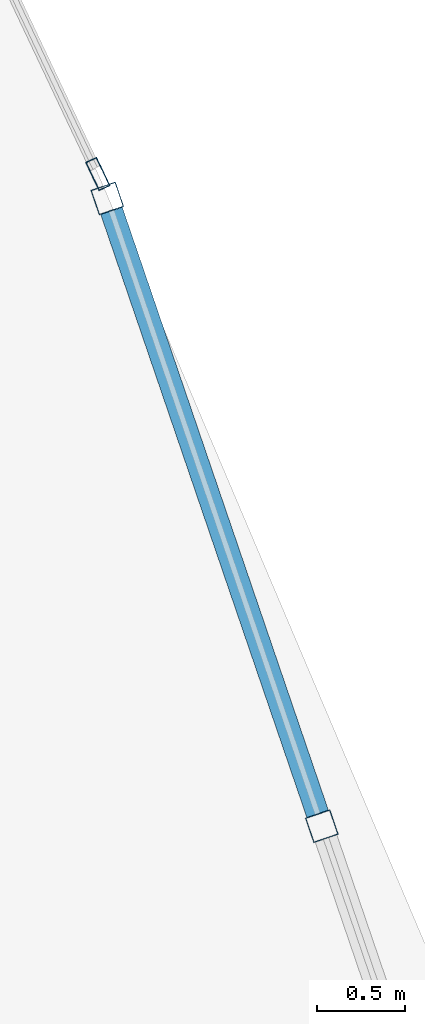
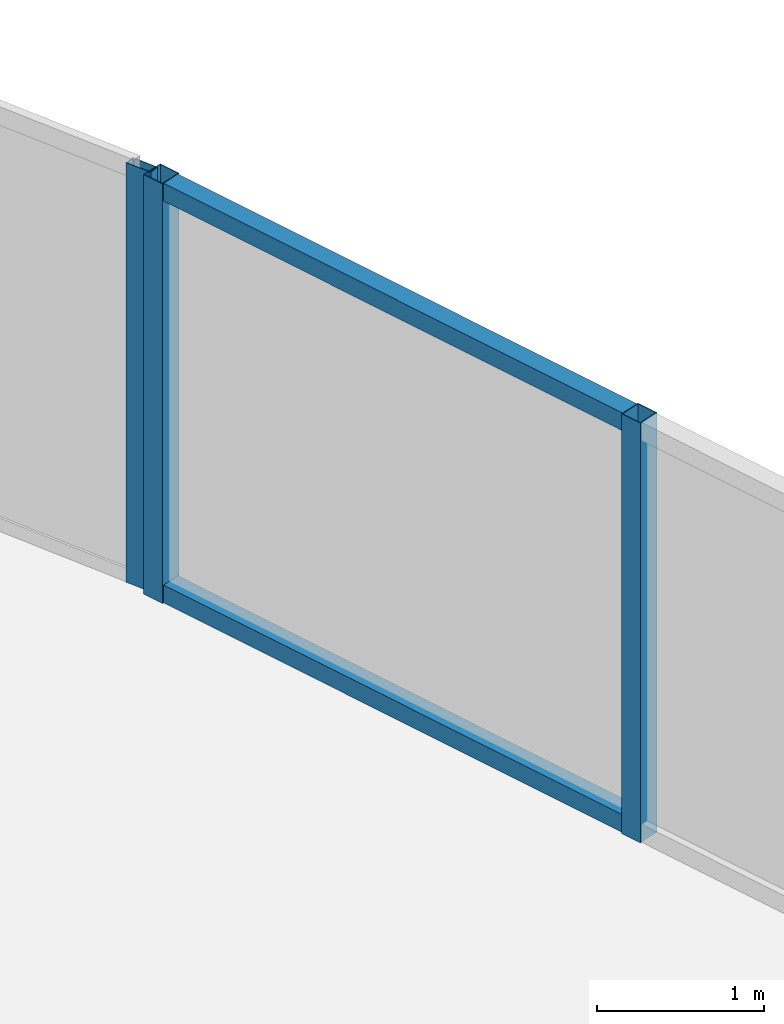
# One storey, part 17 of 33: 5 members, 2 elements without a shape of their own.
"""IFC4 building model written with IfcOpenShell, lengths in metres."""

from ifc_helpers import new_model, si_unit, direction, frame, origin, origin_2d, place, context, subcontext, project, spatial, hollow_rectangle, extrude, material, layer, layer_set, material_profile, profile_set, type_object, element, aggregate, save


model = new_model("IFC4")

# Units and contexts
model_context = context("Model", 3, precision=1e-05, world=origin(), true_north=direction((0.0, 1.0)))
body_context = subcontext(model_context, "Body", "Model", "MODEL_VIEW")
ifc_project = project(units=[si_unit("LENGTHUNIT", "METRE"), si_unit("AREAUNIT", "SQUARE_METRE"), si_unit("VOLUMEUNIT", "CUBIC_METRE"), si_unit("PLANEANGLEUNIT", "RADIAN"), si_unit("MASSUNIT", "GRAM", prefix="KILO")], contexts=[model_context])

# Site, building, storey
site_placement = place(None, origin())
site = spatial("IfcSite", under=ifc_project, at=site_placement, CompositionType="ELEMENT")
building_placement = place(site_placement, origin())
building = spatial("IfcBuilding", under=site, at=building_placement, Name="Orvanel Arch Residences", CompositionType="ELEMENT")
storey_placement = place(building_placement, frame((0.0, 0.0, 87.35009765625)))
storey = spatial("IfcBuildingStorey", under=building, at=storey_placement, Name="L24", CompositionType="ELEMENT", Elevation=87.35009765625)

# Curtain wall, members
ifc_material = material(Name="Bronze-anodised aluminium AA6063-T6", Category="aluminium")
ifc_layer_1 = layer(ifc_material, 0.18994140625)
ifc_layer_set_1 = layer_set([ifc_layer_1], Name="Bronze-anodised aluminium AA6063-T6")
curtain_wall_type_1 = type_object("IfcCurtainWallType", Name="CW5-CRN-SYS", PredefinedType="NOTDEFINED", material=ifc_layer_set_1)
curtain_wall_1_placement = place(storey_placement, origin())
curtain_wall_1 = element("IfcCurtainWall", 1, at=curtain_wall_1_placement, inside=storey, type_object=curtain_wall_type_1, Name="L24 CW5-CRN-SYS Unitised Curtain Wall", PredefinedType="NOTDEFINED")
ifc_material_profile_1 = material_profile(ifc_material, hollow_rectangle(XDim=0.14990234375, YDim=0.14990234375, WallThickness=0.0048828125, at=origin_2d()), Name="ALU150x150x5")
ifc_profile_set_1 = profile_set([ifc_material_profile_1], Name="Bronze-anodised aluminium AA6063-T6")
member_type_1 = type_object("IfcMemberType", Name="MUL-150x150", PredefinedType="MULLION", material=ifc_profile_set_1)
member_1_placement = place(storey_placement, frame((59.096923828125, 10.01806640625, 0.0), z_axis=(0.0, 0.0, 1.0), x_axis=(-0.946249453403, -0.32343774043, 0.0)))
member_1 = element("IfcMember", 2, at=member_1_placement, type_object=member_type_1, Name="CW-S5 mullion 2", PredefinedType="MULLION", context=body_context, shape_type="SweptSolid", body=[
    extrude(hollow_rectangle(XDim=0.14990234375, YDim=0.14990234375, WallThickness=0.0048828125, at=origin_2d()), origin(), (0.0, 0.0, 1.0), 3.059814453125),
])
member_2_placement = place(storey_placement, frame((57.871337890625, 13.60400390625, 0.0), z_axis=(0.0, 0.0, 1.0), x_axis=(-0.946249453403, -0.32343774043, 0.0)))
member_2 = element("IfcMember", 3, at=member_2_placement, type_object=member_type_1, Name="CW-S5 mullion 3", PredefinedType="MULLION", context=body_context, shape_type="SweptSolid", body=[
    extrude(hollow_rectangle(XDim=0.14990234375, YDim=0.14990234375, WallThickness=0.0048828125, at=origin_2d()), origin(), (0.0, 0.0, 1.0), 3.059814453125),
])

# Curtain wall, member
ifc_layer_2 = layer(ifc_material, 0.179931640625)
ifc_layer_set_2 = layer_set([ifc_layer_2], Name="Bronze-anodised aluminium AA6063-T6")
curtain_wall_type_2 = type_object("IfcCurtainWallType", Name="CW2-LOW-SYS", PredefinedType="NOTDEFINED", material=ifc_layer_set_2)
curtain_wall_2_placement = place(storey_placement, origin())
curtain_wall_2 = element("IfcCurtainWall", 4, at=curtain_wall_2_placement, inside=storey, type_object=curtain_wall_type_2, Name="L24 CW2-LOW-SYS Unitised Curtain Wall", PredefinedType="NOTDEFINED")
ifc_material_profile_2 = material_profile(ifc_material, hollow_rectangle(XDim=0.070068359375, YDim=0.179931640625, WallThickness=0.00439453125, at=origin_2d()), Name="ALU180x70x4.5")
ifc_profile_set_2 = profile_set([ifc_material_profile_2], Name="Bronze-anodised aluminium AA6063-T6")
member_type_2 = type_object("IfcMemberType", Name="MUL-180x70", PredefinedType="MULLION", material=ifc_profile_set_2)
member_3_placement = place(storey_placement, frame((57.817138671875, 13.74365234375, 0.0), z_axis=(0.0, 0.0, 1.0), x_axis=(-0.904068803442, -0.427386942528, 0.0)))
member_3 = element("IfcMember", 5, at=member_3_placement, type_object=member_type_2, Name="CW-S2 mullion 1", PredefinedType="MULLION", context=body_context, shape_type="SweptSolid", body=[
    extrude(hollow_rectangle(XDim=0.070068359375, YDim=0.179931640625, WallThickness=0.00439453125, at=origin_2d()), origin(), (0.0, 0.0, 1.0), 3.059814453125),
])
aggregate(curtain_wall_2, [member_3])

# Member
ifc_material_profile_3 = material_profile(ifc_material, hollow_rectangle(XDim=0.1298828125, YDim=0.1298828125, WallThickness=0.00439453125, at=origin_2d()), Name="ALU130x130x4.5")
ifc_profile_set_3 = profile_set([ifc_material_profile_3], Name="Bronze-anodised aluminium AA6063-T6")
member_type_3 = type_object("IfcMemberType", Name="TRN-130x130", PredefinedType="USERDEFINED", material=ifc_profile_set_3)
member_4_placement = place(storey_placement, frame((59.07275390625, 10.0888671875, 0.06494140625), z_axis=(-0.323442733064, 0.946247746855, 0.0), x_axis=(-0.946247746855, -0.323442733064, 0.0)))
member_4 = element("IfcMember", 6, at=member_4_placement, type_object=member_type_3, Name="CW-S5 transom 2.1", ObjectType="TRANSOM", PredefinedType="USERDEFINED", context=body_context, shape_type="SweptSolid", body=[
    extrude(hollow_rectangle(XDim=0.1298828125, YDim=0.1298828125, WallThickness=0.00439453125, at=origin_2d()), origin(), (0.0, 0.0, 1.0), 3.6396484375),
])

member_5_placement = place(storey_placement, frame((59.07275390625, 10.0888671875, 2.994873046875), z_axis=(-0.323442733064, 0.946247746855, 0.0), x_axis=(-0.946247746855, -0.323442733064, 0.0)))
member_5 = element("IfcMember", 7, at=member_5_placement, type_object=member_type_3, Name="CW-S5 transom 2.2", ObjectType="TRANSOM", PredefinedType="USERDEFINED", context=body_context, shape_type="SweptSolid", body=[
    extrude(hollow_rectangle(XDim=0.1298828125, YDim=0.1298828125, WallThickness=0.00439453125, at=origin_2d()), origin(), (0.0, 0.0, 1.0), 3.6396484375),
])

aggregate(curtain_wall_1, [member_1, member_2, member_4, member_5])

save(model, "model.ifc")
